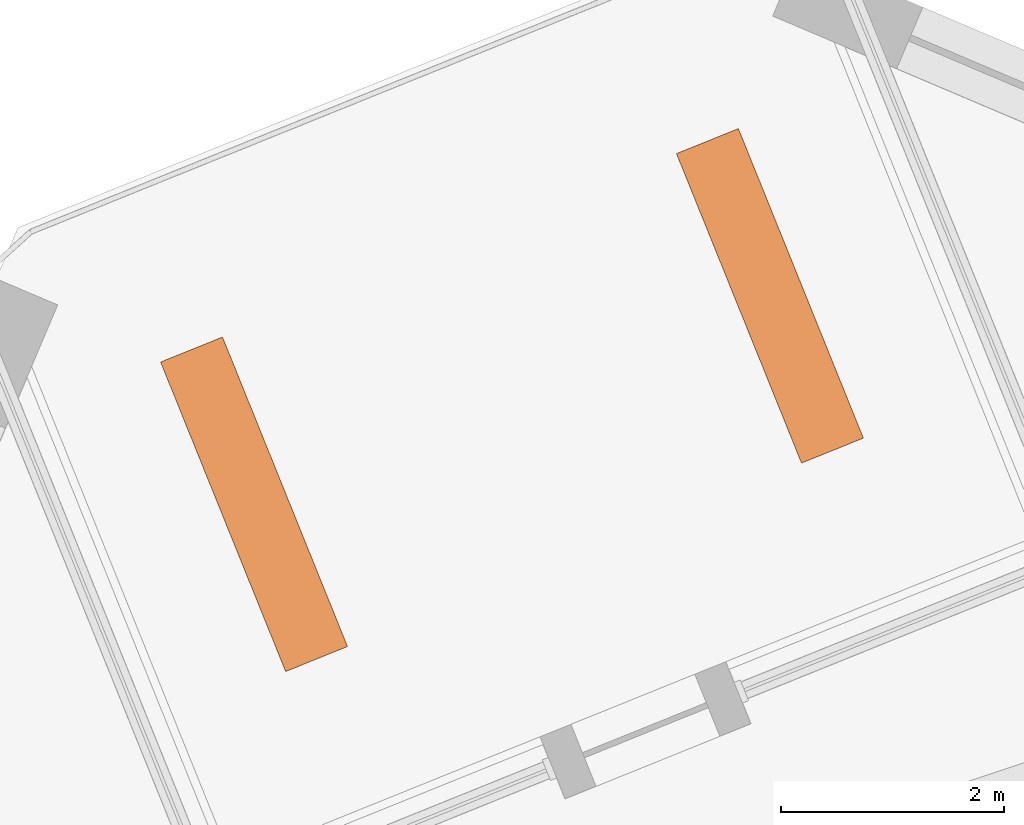
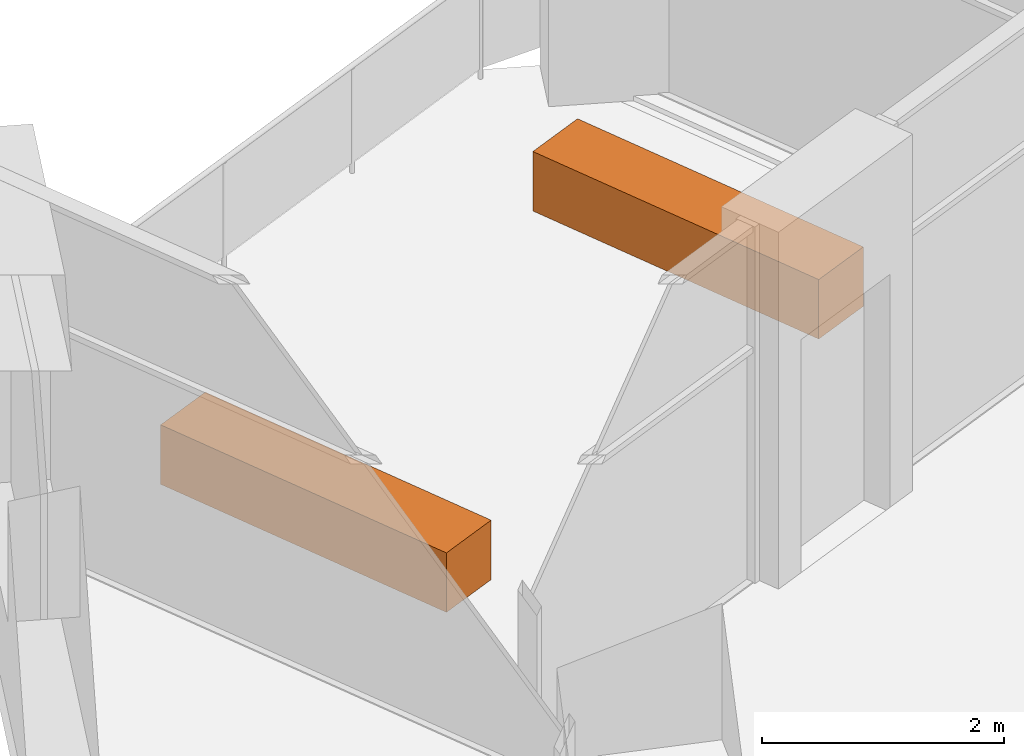
# One storey, part 13 of 13: 2 proxies.
"""IFC4 building model written with IfcOpenShell, lengths in metres."""

from ifc_helpers import new_model, si_unit, direction, frame, origin, origin_2d, place, context, subcontext, project, spatial, rectangle, extrude, element, save


model = new_model("IFC4")

# Units and contexts
model_context = context("Model", 3, precision=1e-05, world=origin(), true_north=direction((0.0, 1.0)))
body_context = subcontext(model_context, "Body", "Model", "MODEL_VIEW")
ifc_project = project(units=[si_unit("LENGTHUNIT", "METRE"), si_unit("AREAUNIT", "SQUARE_METRE"), si_unit("VOLUMEUNIT", "CUBIC_METRE"), si_unit("PLANEANGLEUNIT", "RADIAN"), si_unit("MASSUNIT", "GRAM", prefix="KILO")], contexts=[model_context])

# Site, building, storey
site_placement = place(None, origin())
site = spatial("IfcSite", under=ifc_project, at=site_placement, CompositionType="ELEMENT")
building_placement = place(site_placement, origin())
building = spatial("IfcBuilding", under=site, at=building_placement, Name="Dilmun Exchange Tower", CompositionType="ELEMENT")
storey_placement = place(building_placement, frame((0.0, 0.0, 300.5)))
storey = spatial("IfcBuildingStorey", under=building, at=storey_placement, Name="L71", CompositionType="ELEMENT", Elevation=300.5)

# Proxies
for number, where, z_axis, x_axis, name in (
    (1, (-8.327880859375, 32.948974609375, 0.0), (0.0, 0.0, 1.0), (-0.374606593416, 0.927183854567, 0.0), "PLANTER Ghaf tree L71.1"),
    (2, (-12.9638671875, 31.075927734375, 0.0), (0.0, 0.0, 1.0), (-0.374606593416, 0.927183854567, 0.0), "PLANTER Ghaf tree L71.2"),
):
    element("IfcBuildingElementProxy", number, at=place(storey_placement, frame(where, z_axis=z_axis, x_axis=x_axis)), inside=storey, Name=name, ObjectType="PLANTER", PredefinedType="USERDEFINED", context=body_context, shape_type="SweptSolid", body=[
        extrude(rectangle(XDim=3.0, YDim=0.60009765625, at=origin_2d()), origin(), (0.0, 0.0, 1.0), 0.60009765625),
    ])

save(model, "model.ifc")
